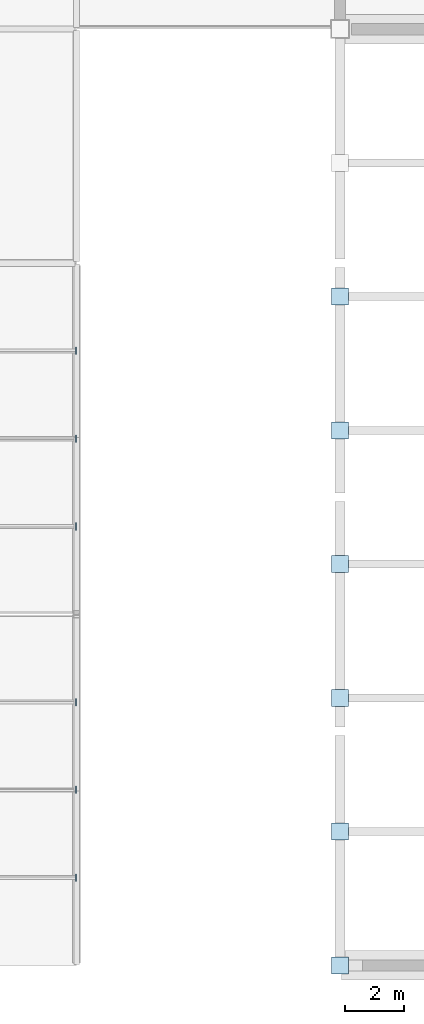
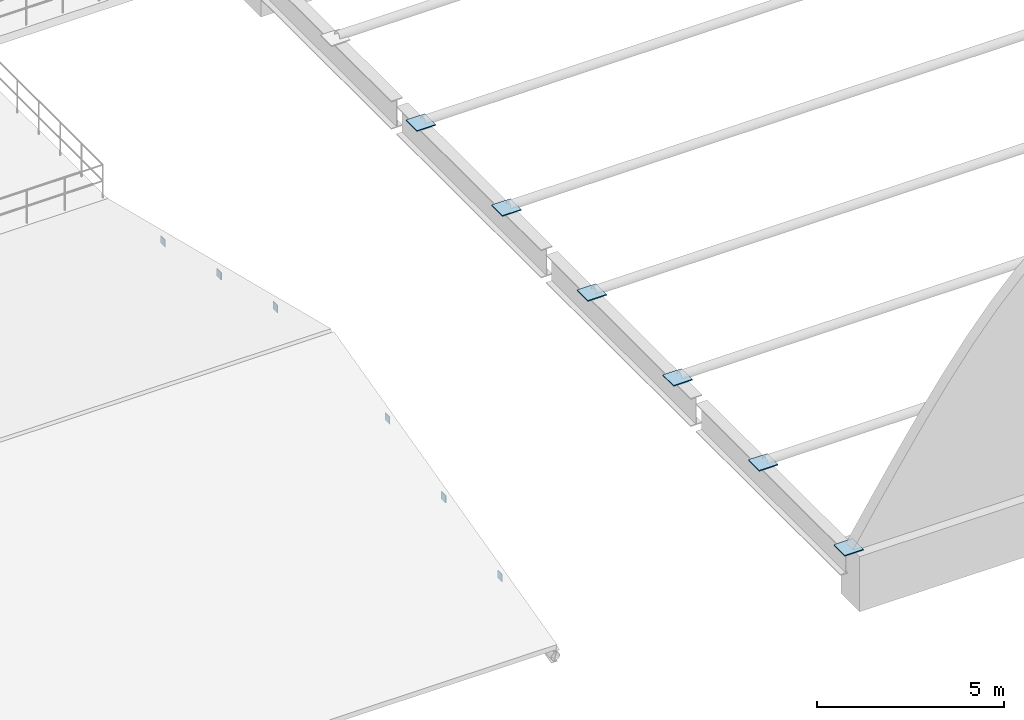
# One storey, part 39 of 54: 12 plates.
"""IFC4 building model written with IfcOpenShell, lengths in metres."""

from ifc_helpers import new_model, si_unit, direction, frame, origin, origin_2d, place, context, subcontext, project, spatial, rectangle, extrude, material, layer, layer_set, type_object, element, save


model = new_model("IFC4")

# Units and contexts
model_context = context("Model", 3, precision=1e-05, world=origin(), true_north=direction((0.0, 1.0)))
body_context = subcontext(model_context, "Body", "Model", "MODEL_VIEW")
ifc_project = project(units=[si_unit("LENGTHUNIT", "METRE"), si_unit("AREAUNIT", "SQUARE_METRE"), si_unit("VOLUMEUNIT", "CUBIC_METRE"), si_unit("PLANEANGLEUNIT", "RADIAN"), si_unit("MASSUNIT", "GRAM", prefix="KILO")], contexts=[model_context])

# Site, building, storey
site_placement = place(None, origin())
site = spatial("IfcSite", under=ifc_project, at=site_placement, CompositionType="ELEMENT")
building_placement = place(site_placement, origin())
building = spatial("IfcBuilding", under=site, at=building_placement, Name="Marnock Terrace Opera House", CompositionType="ELEMENT")
storey_placement = place(building_placement, frame((0.0, 0.0, 19.199951171875)))
storey = spatial("IfcBuildingStorey", under=building, at=storey_placement, Name="L04", CompositionType="ELEMENT", Elevation=19.199951171875)

# Plates
ifc_material = material(Name="Steel Grade 350 (AS/NZS 3679.1)", Category="steel")
ifc_layer_1 = layer(ifc_material, 0.02001953125)
ifc_layer_set_1 = layer_set([ifc_layer_1], Name="Steel Grade 350 (AS/NZS 3679.1)")
plate_type_1 = type_object("IfcPlateType", Name="PLT-ENDCAP-240x20", PredefinedType="SHEET", material=ifc_layer_set_1)
for number, where, z_axis, x_axis, name in (
    (1, (45.969970703125, 11.0, 0.30859375), (0.0, 0.0, 1.0), (1.0, 0.0, 0.0), "Rehearsal Wing roof purlin Y=11 east SHS end-cap plate"),
    (2, (45.969970703125, 14.0, 1.05859375), (0.0, 0.0, 1.0), (1.0, 0.0, 0.0), "Rehearsal Wing roof purlin Y=14 east SHS end-cap plate"),
    (3, (45.969970703125, 17.0, 1.80859375), (0.0, 0.0, 1.0), (1.0, 0.0, 0.0), "Rehearsal Wing roof purlin Y=17 east SHS end-cap plate"),
    (4, (45.969970703125, 23.0, 1.80859375), (0.0, 0.0, 1.0), (1.0, 0.0, 0.0), "Rehearsal Wing roof purlin Y=23 east SHS end-cap plate"),
    (5, (45.969970703125, 26.0, 1.05859375), (0.0, 0.0, 1.0), (1.0, 0.0, 0.0), "Rehearsal Wing roof purlin Y=26 east SHS end-cap plate"),
    (6, (45.969970703125, 29.0, 0.30859375), (0.0, 0.0, 1.0), (1.0, 0.0, 0.0), "Rehearsal Wing roof purlin Y=29 east SHS end-cap plate"),
):
    element("IfcPlate", number, at=place(storey_placement, frame(where, z_axis=z_axis, x_axis=x_axis)), inside=storey, type_object=plate_type_1, Name=name, PredefinedType="SHEET", context=body_context, shape_type="SweptSolid", body=[
        extrude(rectangle(XDim=0.02001953125, YDim=0.239990234375, at=origin_2d()), origin(), (0.0, 0.0, 1.0), 0.239990234375),
    ])
ifc_layer_2 = layer(ifc_material, 0.031982421875)
ifc_layer_set_2 = layer_set([ifc_layer_2], Name="Steel Grade 350 (AS/NZS 3679.1)")
plate_type_2 = type_object("IfcPlateType", Name="PLT-SHOE-32", PredefinedType="SHEET", material=ifc_layer_set_2)
for number, where, z_axis, x_axis, name in (
    (7, (55.0, 8.0, 0.0), (0.0, 0.0, 1.0), (1.0, 0.0, 0.0), "Barrel vault valley shoe plate X=55 station 1"),
    (8, (55.0, 12.571533203125, 0.0), (0.0, 0.0, 1.0), (1.0, 0.0, 0.0), "Barrel vault valley shoe plate X=55 station 2"),
    (9, (55.0, 17.142822265625, 0.0), (0.0, 0.0, 1.0), (1.0, 0.0, 0.0), "Barrel vault valley shoe plate X=55 station 3"),
    (10, (55.0, 21.71435546875, 0.0), (0.0, 0.0, 1.0), (1.0, 0.0, 0.0), "Barrel vault valley shoe plate X=55 station 4"),
    (11, (55.0, 26.28564453125, 0.0), (0.0, 0.0, 1.0), (1.0, 0.0, 0.0), "Barrel vault valley shoe plate X=55 station 5"),
    (12, (55.0, 30.857177734375, 0.0), (0.0, 0.0, 1.0), (1.0, 0.0, 0.0), "Barrel vault valley shoe plate X=55 station 6"),
):
    element("IfcPlate", number, at=place(storey_placement, frame(where, z_axis=z_axis, x_axis=x_axis)), inside=storey, type_object=plate_type_2, Name=name, PredefinedType="SHEET", context=body_context, shape_type="SweptSolid", body=[
        extrude(rectangle(XDim=0.580078125, YDim=0.580078125, at=origin_2d()), origin(), (0.0, 0.0, 1.0), 0.031982421875),
    ])

save(model, "model.ifc")
